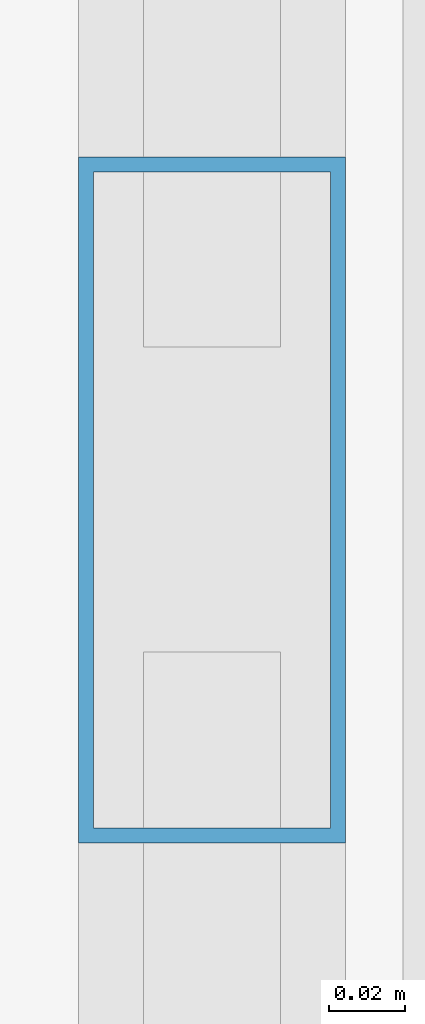
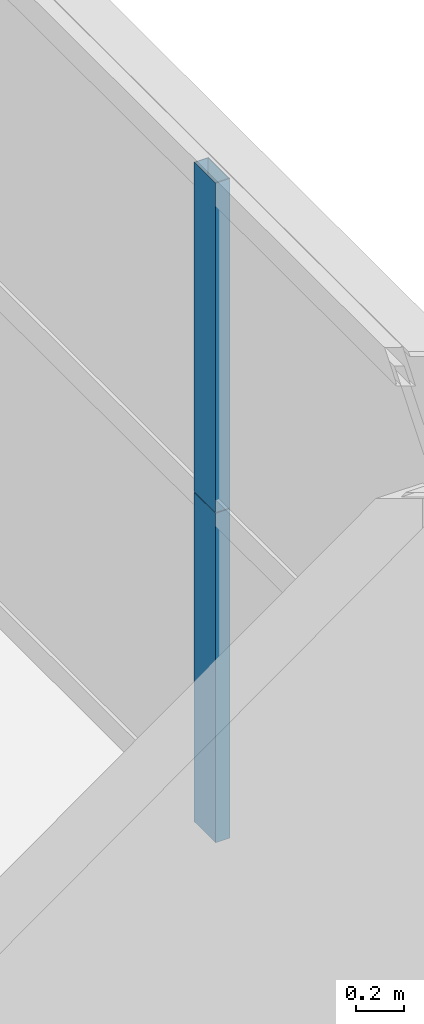
# One storey, part 28 of 38: 2 members, 1 element without a shape of its own.
"""IFC4 building model written with IfcOpenShell, lengths in metres."""

from ifc_helpers import new_model, si_unit, direction, frame, origin, origin_2d, place, context, subcontext, project, spatial, hollow_rectangle, extrude, source, transform, mapped, material, layer, layer_set, material_profile, profile_set, type_object, element, aggregate, save


model = new_model("IFC4")

# Units and contexts
model_context = context("Model", 3, precision=1e-05, world=origin(), true_north=direction((0.0, 1.0)))
body_context = subcontext(model_context, "Body", "Model", "MODEL_VIEW")
ifc_project = project(units=[si_unit("LENGTHUNIT", "METRE"), si_unit("AREAUNIT", "SQUARE_METRE"), si_unit("VOLUMEUNIT", "CUBIC_METRE"), si_unit("PLANEANGLEUNIT", "RADIAN"), si_unit("MASSUNIT", "GRAM", prefix="KILO"), si_unit("THERMODYNAMICTEMPERATUREUNIT", "KELVIN"), si_unit("POWERUNIT", "WATT")], contexts=[model_context])

# Site, building, storey
site_placement = place(None, origin())
site = spatial("IfcSite", under=ifc_project, at=site_placement, CompositionType="ELEMENT")
building_placement = place(site_placement, origin())
building = spatial("IfcBuilding", under=site, at=building_placement, Name="Yuzanri Waterfront Tower", CompositionType="ELEMENT")
storey_placement = place(building_placement, frame((0.0, 0.0, 111.800048828125)))
storey = spatial("IfcBuildingStorey", under=building, at=storey_placement, Name="L29", CompositionType="ELEMENT", Elevation=111.800048828125)

# Curtain wall, members
ifc_material_1 = material(Name="Anodized Architectural Bronze", Category="metal")
ifc_layer = layer(ifc_material_1, 0.159912109375)
ifc_layer_set = layer_set([ifc_layer], Name="Anodized Architectural Bronze")
curtain_wall_type = type_object("IfcCurtainWallType", Name="Anodized Bronze Hotel Upper-Tier Solar-Control Unitized Curtain Wall 7800", PredefinedType="NOTDEFINED", material=ifc_layer_set)
curtain_wall_placement = place(storey_placement, origin())
curtain_wall = element("IfcCurtainWall", 1, at=curtain_wall_placement, inside=storey, type_object=curtain_wall_type, Name="L29 Curtain Wall CW-L29-ER", PredefinedType="NOTDEFINED")
ifc_material_2 = material(Name="Anodized Architectural Bronze", Category="metal")
ifc_material_profile = material_profile(ifc_material_2, hollow_rectangle(XDim=0.070068359375, YDim=0.179931640625, WallThickness=0.00390625, at=origin_2d()), Name="CWM 70x180")
ifc_profile_set = profile_set([ifc_material_profile], Name="Anodized Architectural Bronze")
member_type = type_object("IfcMemberType", Name="Anodized Bronze Standard Curtain-Wall Mullion 70x180", PredefinedType="MULLION", material=ifc_profile_set)
shared_shape = source(origin(), body_context, "Body", "SweptSolid", [
    extrude(hollow_rectangle(XDim=0.070068359375, YDim=0.179931640625, WallThickness=0.00390625, at=origin_2d()), origin(), (0.0, 0.0, 1.0), 1.68798828125),
])
member_1_placement = place(storey_placement, frame((60.449951171875, 34.14990234375, 0.0), z_axis=(0.0, 0.0, 1.0), x_axis=(1.0, 0.0, 0.0)))
member_1 = element("IfcMember", 2, at=member_1_placement, type_object=member_type, Name="CW-L29-ER Lower Mullion 01", PredefinedType="MULLION", context=body_context, shape_type="MappedRepresentation", body=[
    mapped(shared_shape, transform((0.0, 0.0, 0.0), scale=1.0)),
])
member_2_placement = place(storey_placement, frame((60.449951171875, 34.14990234375, 1.69189453125), z_axis=(0.0, 0.0, 1.0), x_axis=(1.0, 0.0, 0.0)))
member_2 = element("IfcMember", 3, at=member_2_placement, type_object=member_type, Name="CW-L29-ER Upper Mullion 01", PredefinedType="MULLION", context=body_context, shape_type="MappedRepresentation", body=[
    mapped(shared_shape, transform((0.0, 0.0, 0.0), scale=1.0)),
])
aggregate(curtain_wall, [member_1, member_2])

save(model, "model.ifc")
